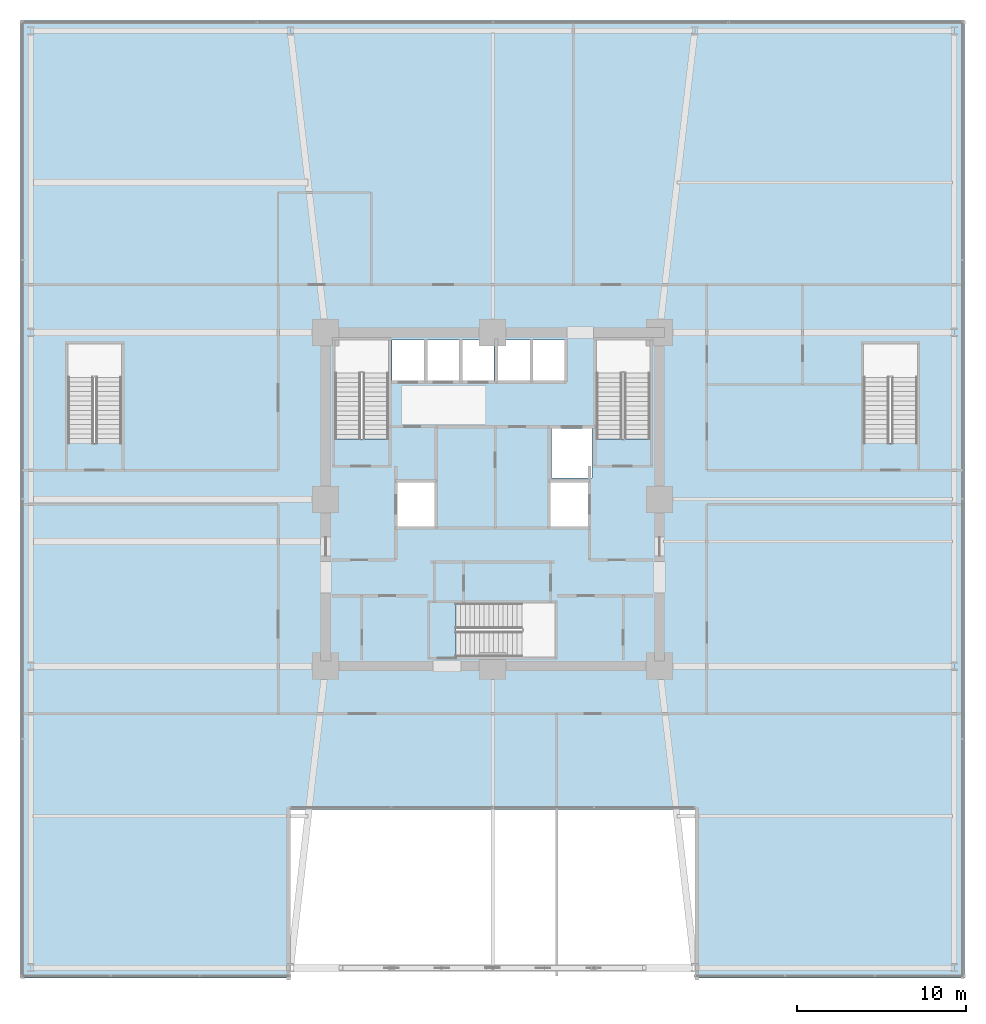
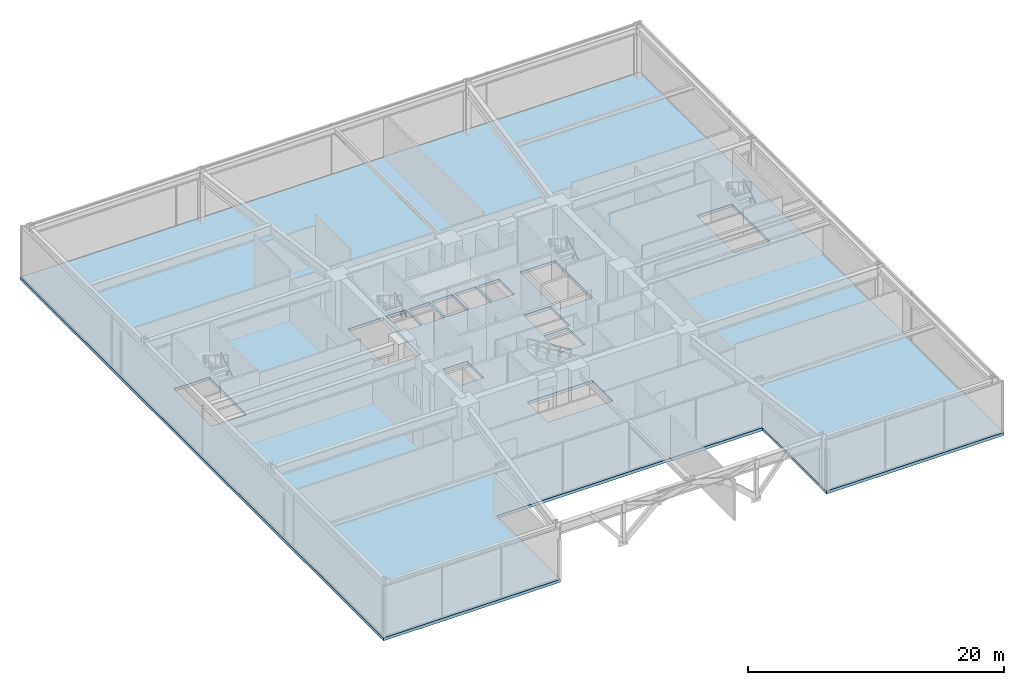
# One storey, part 40 of 49: 1 slab.
"""IFC4 building model written with IfcOpenShell, lengths in metres."""

from ifc_helpers import new_model, si_unit, direction, frame, origin, place, context, subcontext, project, spatial, polyline, outline, extrude, material, layer, layer_set, type_object, element, save


model = new_model("IFC4")

# Units and contexts
model_context = context("Model", 3, precision=1e-05, world=origin(), true_north=direction((0.0, 1.0)))
body_context = subcontext(model_context, "Body", "Model", "MODEL_VIEW")
ifc_project = project(units=[si_unit("LENGTHUNIT", "METRE"), si_unit("AREAUNIT", "SQUARE_METRE"), si_unit("VOLUMEUNIT", "CUBIC_METRE"), si_unit("PLANEANGLEUNIT", "RADIAN"), si_unit("MASSUNIT", "GRAM", prefix="KILO")], contexts=[model_context])

# Site, building, storey
site_placement = place(None, origin())
site = spatial("IfcSite", under=ifc_project, at=site_placement, CompositionType="ELEMENT")
building_placement = place(site_placement, origin())
building = spatial("IfcBuilding", under=site, at=building_placement, Name="Kolvaren Belvedere", CompositionType="ELEMENT")
storey_placement = place(building_placement, frame((0.0, 0.0, 10.0)))
storey = spatial("IfcBuildingStorey", under=building, at=storey_placement, Name="L03", CompositionType="ELEMENT", Elevation=10.0)

# Slab
ifc_material = material(Name="Concrete C50/60", Category="concrete")
ifc_layer = layer(ifc_material, 0.280029296875)
ifc_layer_set = layer_set([ifc_layer], Name="Concrete C50/60")
slab_type = type_object("IfcSlabType", Name="SL-FLR-280", PredefinedType="FLOOR", material=ifc_layer_set)
slab_placement = place(storey_placement, frame((0.0, 0.0, -0.280029296875)))
element("IfcSlab", 1, at=slab_placement, inside=storey, type_object=slab_type, Name="L03 Primary Structural Slab", PredefinedType="FLOOR", context=body_context, shape_type="SweptSolid", body=[
    extrude(outline(polyline([(-28.0, -28.39990234375), (-12.0, -28.39990234375), (-12.0, -18.39990234375), (12.0, -18.39990234375), (12.0, -28.39990234375), (28.0, -28.39990234375), (28.0, 28.39990234375), (-28.0, 28.39990234375), (-28.0, -28.39990234375)]), holes=[polyline([(-9.35009765625, 3.580078125), (-6.159912109375, 3.580078125), (-6.159912109375, 9.449951171875), (-9.35009765625, 9.449951171875), (-9.35009765625, 3.580078125)]), polyline([(6.159912109375, 3.580078125), (9.35009765625, 3.580078125), (9.35009765625, 9.449951171875), (6.159912109375, 9.449951171875), (6.159912109375, 3.580078125)]), polyline([(-2.169921875, -9.35009765625), (3.699951171875, -9.35009765625), (3.699951171875, -6.159912109375), (-2.169921875, -6.159912109375), (-2.169921875, -9.35009765625)]), polyline([(-25.199951171875, 3.330078125), (-22.010009765625, 3.330078125), (-22.010009765625, 9.199951171875), (-25.199951171875, 9.199951171875), (-25.199951171875, 3.330078125)]), polyline([(22.010009765625, 3.330078125), (25.199951171875, 3.330078125), (25.199951171875, 9.199951171875), (22.010009765625, 9.199951171875), (22.010009765625, 3.330078125)]), polyline([(-5.64990234375, -1.60009765625), (-3.449951171875, -1.60009765625), (-3.449951171875, 1.0), (-5.64990234375, 1.0), (-5.64990234375, -1.60009765625)]), polyline([(3.5, 1.25), (5.89990234375, 1.25), (5.89990234375, 4.199951171875), (3.5, 4.199951171875), (3.5, 1.25)]), polyline([(3.449951171875, -1.60009765625), (5.64990234375, -1.60009765625), (5.64990234375, 1.0), (3.449951171875, 1.0), (3.449951171875, -1.60009765625)]), polyline([(-5.9599609375, 7.050048828125), (-4.06005859375, 7.050048828125), (-4.06005859375, 9.449951171875), (-5.9599609375, 9.449951171875), (-5.9599609375, 7.050048828125)]), polyline([(-3.8798828125, 7.050048828125), (-1.97998046875, 7.050048828125), (-1.97998046875, 9.449951171875), (-3.8798828125, 9.449951171875), (-3.8798828125, 7.050048828125)]), polyline([(-1.800048828125, 7.050048828125), (0.10009765625, 7.050048828125), (0.10009765625, 9.449951171875), (-1.800048828125, 9.449951171875), (-1.800048828125, 7.050048828125)]), polyline([(0.320068359375, 7.050048828125), (2.219970703125, 7.050048828125), (2.219970703125, 9.449951171875), (0.320068359375, 9.449951171875), (0.320068359375, 7.050048828125)]), polyline([(2.39990234375, 7.050048828125), (4.300048828125, 7.050048828125), (4.300048828125, 9.449951171875), (2.39990234375, 9.449951171875), (2.39990234375, 7.050048828125)])]), origin(), (0.0, 0.0, 1.0), 0.280029296875),
])

save(model, "model.ifc")
